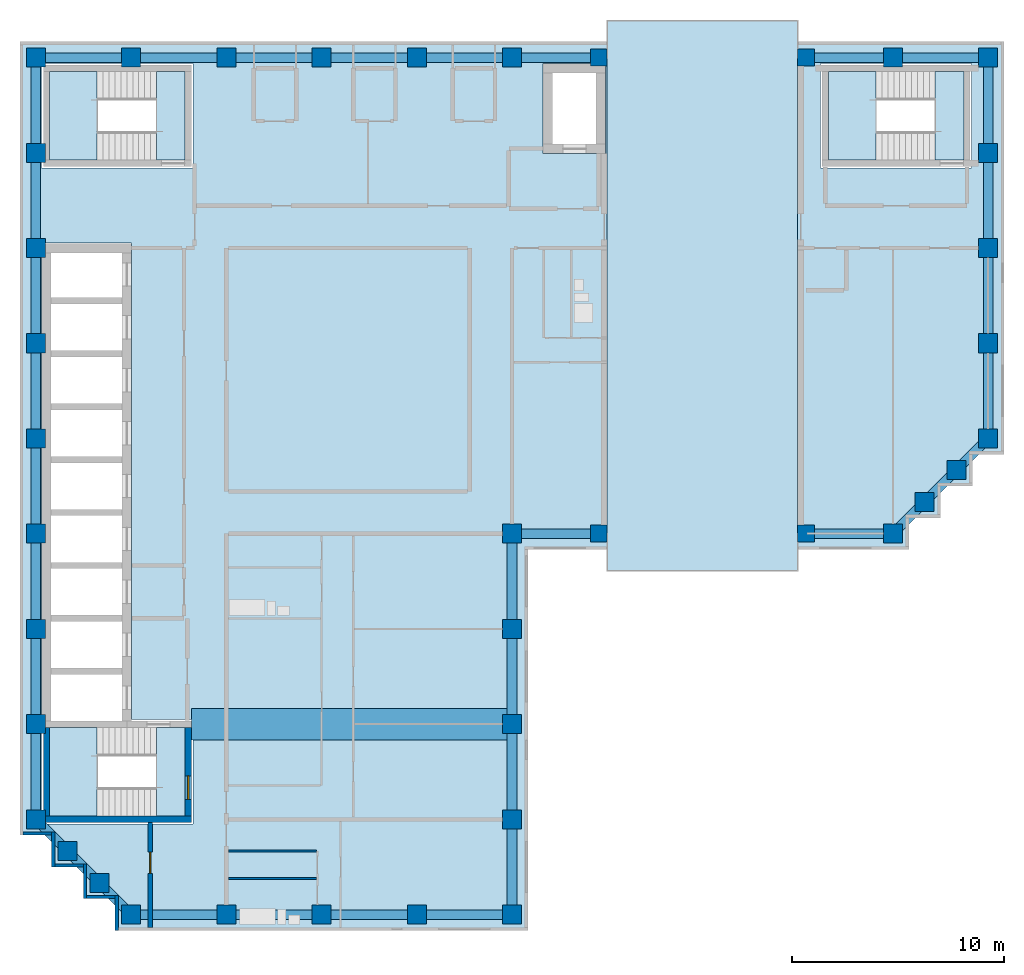
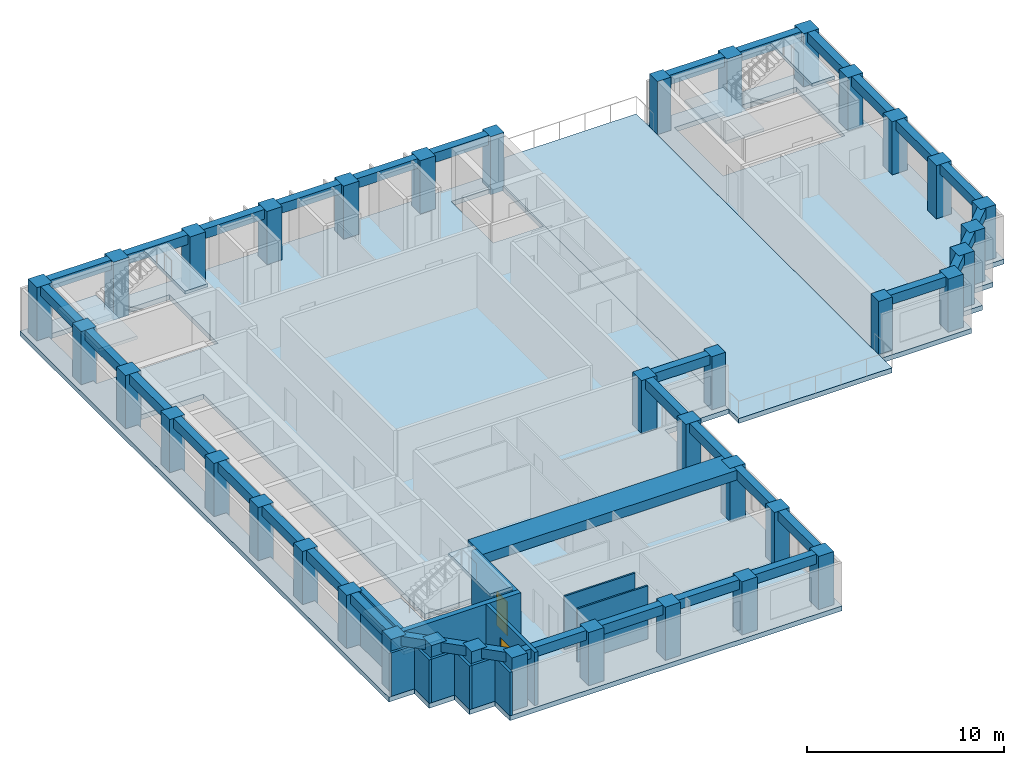
# One storey, part 1 of 7: 38 columns, 37 beams, 12 walls, 9 slabs, 2 doors, 2 openings, 3 elements without a shape of their own.
"""IFC4 building model written with IfcOpenShell, lengths in metres."""

from ifc_helpers import new_model, si_unit, direction, frame, frame_2d, origin, origin_2d, place, context, subcontext, project, spatial, polyline, rectangle, outline, extrude, material, layer, layer_set, material_profile, profile_set, type_object, element, fill, aggregate, save


model = new_model("IFC4")

# Units and contexts
model_context = context("Model", 3, precision=1e-05, world=origin(), true_north=direction((0.0, 1.0)))
body_context = subcontext(model_context, "Body", "Model", "MODEL_VIEW")
ifc_project = project(units=[si_unit("LENGTHUNIT", "METRE"), si_unit("AREAUNIT", "SQUARE_METRE"), si_unit("VOLUMEUNIT", "CUBIC_METRE"), si_unit("PLANEANGLEUNIT", "RADIAN"), si_unit("MASSUNIT", "GRAM", prefix="KILO")], contexts=[model_context])

# Site, building, storey
site_placement = place(None, origin())
site = spatial("IfcSite", under=ifc_project, at=site_placement, CompositionType="ELEMENT")
building_placement = place(site_placement, origin())
building = spatial("IfcBuilding", under=site, at=building_placement, Name="Firuza Court", CompositionType="ELEMENT")
storey_placement = place(building_placement, frame((0.0, 0.0, 240.199951171875)))
storey = spatial("IfcBuildingStorey", under=building, at=storey_placement, Name="L62", CompositionType="ELEMENT", Elevation=240.199951171875)

# Columns
ifc_material_1 = material(Name="Concrete C60/75", Category="concrete")
ifc_material_profile_1 = material_profile(ifc_material_1, rectangle(XDim=0.800048828125, YDim=0.800048828125, at=origin_2d()), Name="RC 800x800")
ifc_profile_set_1 = profile_set([ifc_material_profile_1], Name="Concrete C60/75")
column_type_1 = type_object("IfcColumnType", Name="Portal frame column RC 800x800 C60/75", PredefinedType="COLUMN", material=ifc_profile_set_1)
for number, where, z_axis, x_axis, name in (
    (1, (26.60009765625, 36.0, -0.300048828125), (0.0, 0.0, 1.0), (1.0, 0.0, 0.0), "Column C-PWS L62"),
    (2, (36.39990234375, 36.0, -0.300048828125), (0.0, 0.0, 1.0), (1.0, 0.0, 0.0), "Column C-PES L62"),
    (3, (26.60009765625, 58.5, -0.300048828125), (0.0, 0.0, 1.0), (1.0, 0.0, 0.0), "Column C-PWN L62"),
    (4, (36.39990234375, 58.5, -0.300048828125), (0.0, 0.0, 1.0), (1.0, 0.0, 0.0), "Column C-PEN L62"),
):
    element("IfcColumn", number, at=place(storey_placement, frame(where, z_axis=z_axis, x_axis=x_axis)), inside=storey, type_object=column_type_1, Name=name, PredefinedType="COLUMN", context=body_context, shape_type="SweptSolid", body=[
        extrude(rectangle(XDim=0.800048828125, YDim=0.800048828125, at=origin_2d()), origin(), (0.0, 0.0, 1.0), 3.60009765625),
    ])
ifc_material_2 = material(Name="Concrete C50/60", Category="concrete")
ifc_material_profile_2 = material_profile(ifc_material_2, rectangle(XDim=0.89990234375, YDim=0.89990234375, at=origin_2d()), Name="RC 900x900")
ifc_profile_set_2 = profile_set([ifc_material_profile_2], Name="Concrete C50/60")
column_type_2 = type_object("IfcColumnType", Name="Tube column RC 900x900 C50/60", PredefinedType="COLUMN", material=ifc_profile_set_2)
for number, where, z_axis, x_axis, name in (
    (5, (4.5, 18.0, -0.300048828125), (0.0, 0.0, 1.0), (1.0, 0.0, 0.0), "Column C-2H L62"),
    (6, (9.0, 18.0, -0.300048828125), (0.0, 0.0, 1.0), (1.0, 0.0, 0.0), "Column C-3H L62"),
    (7, (13.5, 18.0, -0.300048828125), (0.0, 0.0, 1.0), (1.0, 0.0, 0.0), "Column C-4H L62"),
    (8, (18.0, 18.0, -0.300048828125), (0.0, 0.0, 1.0), (1.0, 0.0, 0.0), "Column C-5H L62"),
    (9, (22.5, 18.0, -0.300048828125), (0.0, 0.0, 1.0), (1.0, 0.0, 0.0), "Column C-6H L62"),
    (10, (3.0, 19.5, -0.300048828125), (0.0, 0.0, 1.0), (1.0, 0.0, 0.0), "Column C-SA1 L62"),
    (11, (1.5, 21.0, -0.300048828125), (0.0, 0.0, 1.0), (1.0, 0.0, 0.0), "Column C-SA2 L62"),
    (12, (0.0, 22.5, -0.300048828125), (0.0, 0.0, 1.0), (1.0, 0.0, 0.0), "Column C-1J L62"),
    (13, (22.5, 22.5, -0.300048828125), (0.0, 0.0, 1.0), (1.0, 0.0, 0.0), "Column C-6J L62"),
    (14, (0.0, 27.0, -0.300048828125), (0.0, 0.0, 1.0), (1.0, 0.0, 0.0), "Column C-1K L62"),
    (15, (22.5, 27.0, -0.300048828125), (0.0, 0.0, 1.0), (1.0, 0.0, 0.0), "Column C-6K L62"),
    (16, (0.0, 31.5, -0.300048828125), (0.0, 0.0, 1.0), (1.0, 0.0, 0.0), "Column C-1L L62"),
    (17, (22.5, 31.5, -0.300048828125), (0.0, 0.0, 1.0), (1.0, 0.0, 0.0), "Column C-6L L62"),
    (18, (0.0, 36.0, -0.300048828125), (0.0, 0.0, 1.0), (1.0, 0.0, 0.0), "Column C-1M L62"),
    (19, (22.5, 36.0, -0.300048828125), (0.0, 0.0, 1.0), (1.0, 0.0, 0.0), "Column C-6M L62"),
    (20, (40.5, 36.0, -0.300048828125), (0.0, 0.0, 1.0), (1.0, 0.0, 0.0), "Column C-10M L62"),
    (21, (42.0, 37.5, -0.300048828125), (0.0, 0.0, 1.0), (1.0, 0.0, 0.0), "Column C-SA3 L62"),
    (22, (43.5, 39.0, -0.300048828125), (0.0, 0.0, 1.0), (1.0, 0.0, 0.0), "Column C-SA4 L62"),
    (23, (0.0, 40.5, -0.300048828125), (0.0, 0.0, 1.0), (1.0, 0.0, 0.0), "Column C-1N L62"),
    (24, (45.0, 40.5, -0.300048828125), (0.0, 0.0, 1.0), (1.0, 0.0, 0.0), "Column C-11N L62"),
    (25, (0.0, 45.0, -0.300048828125), (0.0, 0.0, 1.0), (1.0, 0.0, 0.0), "Column C-1P L62"),
    (26, (45.0, 45.0, -0.300048828125), (0.0, 0.0, 1.0), (1.0, 0.0, 0.0), "Column C-11P L62"),
    (27, (0.0, 49.5, -0.300048828125), (0.0, 0.0, 1.0), (1.0, 0.0, 0.0), "Column C-1Q L62"),
    (28, (45.0, 49.5, -0.300048828125), (0.0, 0.0, 1.0), (1.0, 0.0, 0.0), "Column C-11Q L62"),
    (29, (0.0, 54.0, -0.300048828125), (0.0, 0.0, 1.0), (1.0, 0.0, 0.0), "Column C-1R L62"),
    (30, (45.0, 54.0, -0.300048828125), (0.0, 0.0, 1.0), (1.0, 0.0, 0.0), "Column C-11R L62"),
    (31, (0.0, 58.5, -0.300048828125), (0.0, 0.0, 1.0), (1.0, 0.0, 0.0), "Column C-1S L62"),
    (32, (4.5, 58.5, -0.300048828125), (0.0, 0.0, 1.0), (1.0, 0.0, 0.0), "Column C-2S L62"),
    (33, (9.0, 58.5, -0.300048828125), (0.0, 0.0, 1.0), (1.0, 0.0, 0.0), "Column C-3S L62"),
    (34, (13.5, 58.5, -0.300048828125), (0.0, 0.0, 1.0), (1.0, 0.0, 0.0), "Column C-4S L62"),
    (35, (18.0, 58.5, -0.300048828125), (0.0, 0.0, 1.0), (1.0, 0.0, 0.0), "Column C-5S L62"),
    (36, (22.5, 58.5, -0.300048828125), (0.0, 0.0, 1.0), (1.0, 0.0, 0.0), "Column C-6S L62"),
    (37, (40.5, 58.5, -0.300048828125), (0.0, 0.0, 1.0), (1.0, 0.0, 0.0), "Column C-10S L62"),
    (38, (45.0, 58.5, -0.300048828125), (0.0, 0.0, 1.0), (1.0, 0.0, 0.0), "Column C-11S L62"),
):
    element("IfcColumn", number, at=place(storey_placement, frame(where, z_axis=z_axis, x_axis=x_axis)), inside=storey, type_object=column_type_2, Name=name, PredefinedType="COLUMN", context=body_context, shape_type="SweptSolid", body=[
        extrude(rectangle(XDim=0.89990234375, YDim=0.89990234375, at=origin_2d()), origin(), (0.0, 0.0, 1.0), 3.60009765625),
    ])

# Beams
ifc_material_3 = material(Name="Concrete C40/50", Category="concrete")
ifc_material_profile_3 = material_profile(ifc_material_3, rectangle(XDim=1.5, YDim=0.60009765625, at=origin_2d()), Name="RC 1500x600")
ifc_profile_set_3 = profile_set([ifc_material_profile_3], Name="Concrete C40/50")
beam_type_1 = type_object("IfcBeamType", Name="Band beam RC 1500x600 C40/50", PredefinedType="BEAM", material=ifc_profile_set_3)
beam_1_placement = place(storey_placement, frame((22.5, 27.0, 3.0), z_axis=(-1.0, 0.0, 0.0), x_axis=(0.0, -1.0, 0.0)))
element("IfcBeam", 39, at=beam_1_placement, inside=storey, type_object=beam_type_1, Name="Band beam FB3 level L63", PredefinedType="BEAM", context=body_context, shape_type="SweptSolid", body=[
    extrude(rectangle(XDim=1.5, YDim=0.60009765625, at=origin_2d()), origin(), (0.0, 0.0, 1.0), 15.14990234375),
])
ifc_material_4 = material(Name="Concrete C40/50", Category="concrete")
ifc_material_profile_4 = material_profile(ifc_material_4, rectangle(XDim=0.449951171875, YDim=0.60009765625, at=origin_2d()), Name="RC 450x600")
ifc_profile_set_4 = profile_set([ifc_material_profile_4], Name="Concrete C40/50")
beam_type_2 = type_object("IfcBeamType", Name="Spandrel beam RC 450x600 C40/50", PredefinedType="BEAM", material=ifc_profile_set_4)
beam_2_placement = place(storey_placement, frame((0.0, 22.5, 3.0), z_axis=(0.707106781187, -0.707106781187, 0.0), x_axis=(0.707106781187, 0.707106781187, 0.0)))
element("IfcBeam", 40, at=beam_2_placement, inside=storey, type_object=beam_type_2, Name="Spandrel beam SP15 level L63", PredefinedType="BEAM", context=body_context, shape_type="SweptSolid", body=[
    extrude(rectangle(XDim=0.449951171875, YDim=0.60009765625, at=origin_2d()), origin(), (0.0, 0.0, 1.0), 2.121337890625),
])
for number, where, z_axis, x_axis, name in (
    (41, (0.0, 27.0, 3.0), (0.0, -1.0, 0.0), (1.0, 0.0, 0.0), "Spandrel beam SP15 level L63"),
    (42, (0.0, 31.5, 3.0), (0.0, -1.0, 0.0), (1.0, 0.0, 0.0), "Spandrel beam SP15 level L63"),
    (43, (0.0, 36.0, 3.0), (0.0, -1.0, 0.0), (1.0, 0.0, 0.0), "Spandrel beam SP15 level L63"),
    (44, (0.0, 40.5, 3.0), (0.0, -1.0, 0.0), (1.0, 0.0, 0.0), "Spandrel beam SP15 level L63"),
    (45, (0.0, 45.0, 3.0), (0.0, -1.0, 0.0), (1.0, 0.0, 0.0), "Spandrel beam SP15 level L63"),
    (46, (0.0, 49.5, 3.0), (0.0, -1.0, 0.0), (1.0, 0.0, 0.0), "Spandrel beam SP15 level L63"),
    (47, (0.0, 54.0, 3.0), (0.0, -1.0, 0.0), (1.0, 0.0, 0.0), "Spandrel beam SP15 level L63"),
    (48, (0.0, 58.5, 3.0), (0.0, -1.0, 0.0), (1.0, 0.0, 0.0), "Spandrel beam SP15 level L63"),
):
    element("IfcBeam", number, at=place(storey_placement, frame(where, z_axis=z_axis, x_axis=x_axis)), inside=storey, type_object=beam_type_2, Name=name, PredefinedType="BEAM", context=body_context, shape_type="SweptSolid", body=[
        extrude(rectangle(XDim=0.449951171875, YDim=0.60009765625, at=origin_2d()), origin(), (0.0, 0.0, 1.0), 4.5),
    ])
for number, where, z_axis, x_axis, name in (
    (49, (1.5, 21.0, 3.0), (0.707106781187, -0.707106781187, 0.0), (0.707106781187, 0.707106781187, 0.0), "Spandrel beam SP15 level L63"),
    (50, (3.0, 19.5, 3.0), (0.707106781187, -0.707106781187, 0.0), (0.707106781187, 0.707106781187, 0.0), "Spandrel beam SP15 level L63"),
):
    element("IfcBeam", number, at=place(storey_placement, frame(where, z_axis=z_axis, x_axis=x_axis)), inside=storey, type_object=beam_type_2, Name=name, PredefinedType="BEAM", context=body_context, shape_type="SweptSolid", body=[
        extrude(rectangle(XDim=0.449951171875, YDim=0.60009765625, at=origin_2d()), origin(), (0.0, 0.0, 1.0), 2.121337890625),
    ])
for number, where, z_axis, x_axis, name in (
    (51, (4.5, 18.0, 3.0), (1.0, 0.0, 0.0), (0.0, 1.0, 0.0), "Spandrel beam SP15 level L63"),
    (52, (4.5, 58.5, 3.0), (-1.0, 0.0, 0.0), (0.0, -1.0, 0.0), "Spandrel beam SP15 level L63"),
    (53, (9.0, 18.0, 3.0), (1.0, 0.0, 0.0), (0.0, 1.0, 0.0), "Spandrel beam SP15 level L63"),
    (54, (9.0, 58.5, 3.0), (-1.0, 0.0, 0.0), (0.0, -1.0, 0.0), "Spandrel beam SP15 level L63"),
    (55, (13.5, 18.0, 3.0), (1.0, 0.0, 0.0), (0.0, 1.0, 0.0), "Spandrel beam SP15 level L63"),
    (56, (13.5, 58.5, 3.0), (-1.0, 0.0, 0.0), (0.0, -1.0, 0.0), "Spandrel beam SP15 level L63"),
    (57, (18.0, 18.0, 3.0), (1.0, 0.0, 0.0), (0.0, 1.0, 0.0), "Spandrel beam SP15 level L63"),
    (58, (18.0, 58.5, 3.0), (-1.0, 0.0, 0.0), (0.0, -1.0, 0.0), "Spandrel beam SP15 level L63"),
    (59, (22.5, 18.0, 3.0), (0.0, 1.0, 0.0), (-1.0, 0.0, 0.0), "Spandrel beam SP15 level L63"),
    (60, (22.5, 22.5, 3.0), (0.0, 1.0, 0.0), (-1.0, 0.0, 0.0), "Spandrel beam SP15 level L63"),
    (61, (22.5, 27.0, 3.0), (0.0, 1.0, 0.0), (-1.0, 0.0, 0.0), "Spandrel beam SP15 level L63"),
    (62, (22.5, 31.5, 3.0), (0.0, 1.0, 0.0), (-1.0, 0.0, 0.0), "Spandrel beam SP15 level L63"),
):
    element("IfcBeam", number, at=place(storey_placement, frame(where, z_axis=z_axis, x_axis=x_axis)), inside=storey, type_object=beam_type_2, Name=name, PredefinedType="BEAM", context=body_context, shape_type="SweptSolid", body=[
        extrude(rectangle(XDim=0.449951171875, YDim=0.60009765625, at=origin_2d()), origin(), (0.0, 0.0, 1.0), 4.5),
    ])
beam_3_placement = place(storey_placement, frame((22.5, 36.0, 3.0), z_axis=(1.0, 0.0, 0.0), x_axis=(0.0, 1.0, 0.0)))
element("IfcBeam", 63, at=beam_3_placement, inside=storey, type_object=beam_type_2, Name="Spandrel beam SP15 level L63", PredefinedType="BEAM", context=body_context, shape_type="SweptSolid", body=[
    extrude(rectangle(XDim=0.449951171875, YDim=0.60009765625, at=origin_2d()), origin(), (0.0, 0.0, 1.0), 4.10009765625),
])
beam_4_placement = place(storey_placement, frame((22.5, 58.5, 3.0), z_axis=(-1.0, 0.0, 0.0), x_axis=(0.0, -1.0, 0.0)))
element("IfcBeam", 64, at=beam_4_placement, inside=storey, type_object=beam_type_2, Name="Spandrel beam SP15 level L63", PredefinedType="BEAM", context=body_context, shape_type="SweptSolid", body=[
    extrude(rectangle(XDim=0.449951171875, YDim=0.60009765625, at=origin_2d()), origin(), (0.0, 0.0, 1.0), 4.5),
])
for number, where, z_axis, x_axis, name in (
    (65, (26.60009765625, 58.5, 3.0), (-1.0, 0.0, 0.0), (0.0, -1.0, 0.0), "Spandrel beam SP15 level L63"),
    (66, (36.39990234375, 36.0, 3.0), (1.0, 0.0, 0.0), (0.0, 1.0, 0.0), "Spandrel beam SP15 level L63"),
):
    element("IfcBeam", number, at=place(storey_placement, frame(where, z_axis=z_axis, x_axis=x_axis)), inside=storey, type_object=beam_type_2, Name=name, PredefinedType="BEAM", context=body_context, shape_type="SweptSolid", body=[
        extrude(rectangle(XDim=0.449951171875, YDim=0.60009765625, at=origin_2d()), origin(), (0.0, 0.0, 1.0), 4.10009765625),
    ])
beam_5_placement = place(storey_placement, frame((40.5, 36.0, 3.0), z_axis=(0.707106781187, 0.707106781187, 0.0), x_axis=(-0.707106781187, 0.707106781187, 0.0)))
element("IfcBeam", 67, at=beam_5_placement, inside=storey, type_object=beam_type_2, Name="Spandrel beam SP15 level L63", PredefinedType="BEAM", context=body_context, shape_type="SweptSolid", body=[
    extrude(rectangle(XDim=0.449951171875, YDim=0.60009765625, at=origin_2d()), origin(), (0.0, 0.0, 1.0), 2.121337890625),
])
beam_6_placement = place(storey_placement, frame((40.5, 58.5, 3.0), z_axis=(-1.0, 0.0, 0.0), x_axis=(0.0, -1.0, 0.0)))
element("IfcBeam", 68, at=beam_6_placement, inside=storey, type_object=beam_type_2, Name="Spandrel beam SP15 level L63", PredefinedType="BEAM", context=body_context, shape_type="SweptSolid", body=[
    extrude(rectangle(XDim=0.449951171875, YDim=0.60009765625, at=origin_2d()), origin(), (0.0, 0.0, 1.0), 4.10009765625),
])
for number, where, z_axis, x_axis, name in (
    (69, (42.0, 37.5, 3.0), (0.707106781187, 0.707106781187, 0.0), (-0.707106781187, 0.707106781187, 0.0), "Spandrel beam SP15 level L63"),
    (70, (43.5, 39.0, 3.0), (0.707106781187, 0.707106781187, 0.0), (-0.707106781187, 0.707106781187, 0.0), "Spandrel beam SP15 level L63"),
):
    element("IfcBeam", number, at=place(storey_placement, frame(where, z_axis=z_axis, x_axis=x_axis)), inside=storey, type_object=beam_type_2, Name=name, PredefinedType="BEAM", context=body_context, shape_type="SweptSolid", body=[
        extrude(rectangle(XDim=0.449951171875, YDim=0.60009765625, at=origin_2d()), origin(), (0.0, 0.0, 1.0), 2.121337890625),
    ])
for number, where, z_axis, x_axis, name in (
    (71, (45.0, 40.5, 3.0), (0.0, 1.0, 0.0), (-1.0, 0.0, 0.0), "Spandrel beam SP15 level L63"),
    (72, (45.0, 45.0, 3.0), (0.0, 1.0, 0.0), (-1.0, 0.0, 0.0), "Spandrel beam SP15 level L63"),
    (73, (45.0, 49.5, 3.0), (0.0, 1.0, 0.0), (-1.0, 0.0, 0.0), "Spandrel beam SP15 level L63"),
    (74, (45.0, 54.0, 3.0), (0.0, 1.0, 0.0), (-1.0, 0.0, 0.0), "Spandrel beam SP15 level L63"),
    (75, (45.0, 58.5, 3.0), (-1.0, 0.0, 0.0), (0.0, -1.0, 0.0), "Spandrel beam SP15 level L63"),
):
    element("IfcBeam", number, at=place(storey_placement, frame(where, z_axis=z_axis, x_axis=x_axis)), inside=storey, type_object=beam_type_2, Name=name, PredefinedType="BEAM", context=body_context, shape_type="SweptSolid", body=[
        extrude(rectangle(XDim=0.449951171875, YDim=0.60009765625, at=origin_2d()), origin(), (0.0, 0.0, 1.0), 4.5),
    ])

# Slabs
ifc_material_5 = material(Name="Concrete C40/50", Category="concrete")
ifc_layer_1 = layer(ifc_material_5, 0.300048828125)
ifc_layer_set_1 = layer_set([ifc_layer_1], Name="Concrete C40/50")
slab_type_1 = type_object("IfcSlabType", Name="Floor slab 300 C40/50", PredefinedType="FLOOR", material=ifc_layer_set_1)
slab_1_placement = place(storey_placement, frame((0.0, 0.0, -0.300048828125)))
element("IfcSlab", 76, at=slab_1_placement, inside=storey, type_object=slab_type_1, Name="Floor slab L62", PredefinedType="FLOOR", context=body_context, shape_type="SweptSolid", body=[
    extrude(outline(polyline([(27.0, 59.25), (27.0, 35.25), (23.25, 35.25), (23.25, 17.25), (3.75, 17.25), (3.75, 18.75), (2.25, 18.75), (2.25, 20.25), (0.75, 20.25), (0.75, 21.75), (-0.75, 21.75), (-0.75, 59.25), (27.0, 59.25)]), holes=[polyline([(0.27490234375, 34.27490234375), (0.27490234375, 32.22509765625), (0.27490234375, 31.77490234375), (0.27490234375, 29.72509765625), (0.27490234375, 29.27490234375), (0.27490234375, 27.22509765625), (0.27490234375, 26.77490234375), (0.27490234375, 22.27490234375), (7.425048828125, 22.27490234375), (7.425048828125, 27.22509765625), (4.52490234375, 27.22509765625), (4.52490234375, 29.27490234375), (4.52490234375, 29.72509765625), (4.52490234375, 31.77490234375), (4.52490234375, 32.22509765625), (4.52490234375, 34.27490234375), (4.52490234375, 34.72509765625), (4.52490234375, 36.77490234375), (4.52490234375, 37.22509765625), (4.52490234375, 39.27490234375), (4.52490234375, 39.72509765625), (4.52490234375, 41.77490234375), (4.52490234375, 42.22509765625), (4.52490234375, 44.27490234375), (4.52490234375, 44.72509765625), (4.52490234375, 46.77490234375), (4.52490234375, 47.22509765625), (4.52490234375, 49.72509765625), (0.27490234375, 49.72509765625), (0.27490234375, 47.22509765625), (0.27490234375, 46.77490234375), (0.27490234375, 44.72509765625), (0.27490234375, 44.27490234375), (0.27490234375, 42.22509765625), (0.27490234375, 41.77490234375), (0.27490234375, 39.72509765625), (0.27490234375, 39.27490234375), (0.27490234375, 37.22509765625), (0.27490234375, 36.77490234375), (0.27490234375, 34.72509765625), (0.27490234375, 34.27490234375)]), polyline([(7.425048828125, 58.22509765625), (0.27490234375, 58.22509765625), (0.27490234375, 53.27490234375), (7.425048828125, 53.27490234375), (7.425048828125, 58.22509765625)]), polyline([(26.925048828125, 58.22509765625), (23.97509765625, 58.22509765625), (23.97509765625, 53.97509765625), (26.925048828125, 53.97509765625), (26.925048828125, 58.22509765625)])]), origin(), (0.0, 0.0, 1.0), 0.300048828125),
])
slab_2_placement = place(storey_placement, frame((0.0, 0.0, -0.300048828125)))
element("IfcSlab", 77, at=slab_2_placement, inside=storey, type_object=slab_type_1, Name="Floor slab L62", PredefinedType="FLOOR", context=body_context, shape_type="SweptSolid", body=[
    extrude(outline(polyline([(45.75, 39.75), (44.25, 39.75), (44.25, 38.25), (42.75, 38.25), (42.75, 36.75), (41.25, 36.75), (41.25, 35.25), (36.0, 35.25), (36.0, 59.25), (45.75, 59.25), (45.75, 39.75)]), holes=[polyline([(44.22509765625, 58.22509765625), (37.074951171875, 58.22509765625), (37.074951171875, 53.27490234375), (44.22509765625, 53.27490234375), (44.22509765625, 58.22509765625)])]), origin(), (0.0, 0.0, 1.0), 0.300048828125),
])
ifc_layer_2 = layer(ifc_material_5, 0.300048828125)
ifc_layer_set_2 = layer_set([ifc_layer_2], Name="Concrete C40/50")
slab_type_2 = type_object("IfcSlabType", Name="Roof slab 300 C40/50", PredefinedType="ROOF", material=ifc_layer_set_2)
slab_3_placement = place(storey_placement, frame((0.0, 0.0, -0.300048828125)))
element("IfcSlab", 78, at=slab_3_placement, inside=storey, type_object=slab_type_2, Name="Portal floor slab L62", PredefinedType="ROOF", context=body_context, shape_type="SweptSolid", body=[
    extrude(outline(polyline([(36.0, 34.25), (27.0, 34.25), (27.0, 60.25), (36.0, 60.25), (36.0, 34.25)])), origin(), (0.0, 0.0, 1.0), 0.300048828125),
])

# Stair, slabs
ifc_material_6 = material(Name="Concrete C40/50 precast", Category="concrete")
stair_type = type_object("IfcStairType", Name="Stair 1350 x 3600 2 flights", PredefinedType="HALF_TURN_STAIR", material=ifc_material_6)
stair_1_placement = place(storey_placement, origin())
stair_1 = element("IfcStair", 79, at=stair_1_placement, inside=storey, type_object=stair_type, Name="Stair 1 L62", PredefinedType="HALF_TURN_STAIR")
ifc_material_7 = material(Name="Concrete C40/50 precast", Category="concrete")
ifc_layer_3 = layer(ifc_material_7, 0.199951171875)
ifc_layer_set_3 = layer_set([ifc_layer_3], Name="Concrete C40/50 precast")
slab_type_3 = type_object("IfcSlabType", Name="Stair landing 200", PredefinedType="LANDING", material=ifc_layer_set_3)
slab_4_placement = place(storey_placement, frame((0.0, 0.0, 1.60009765625)))
slab_4 = element("IfcSlab", 80, at=slab_4_placement, type_object=slab_type_3, Name="S1 landing 1", PredefinedType="LANDING", context=body_context, shape_type="SweptSolid", body=[
    extrude(outline(polyline([(39.699951171875, 53.64990234375), (39.699951171875, 57.85009765625), (37.449951171875, 57.85009765625), (37.449951171875, 53.64990234375), (39.699951171875, 53.64990234375)])), origin(), (0.0, 0.0, 1.0), 0.199951171875),
])
slab_5_placement = place(storey_placement, frame((0.0, 0.0, 3.400146484375)))
slab_5 = element("IfcSlab", 81, at=slab_5_placement, type_object=slab_type_3, Name="S1 landing 2", PredefinedType="LANDING", context=body_context, shape_type="SweptSolid", body=[
    extrude(outline(polyline([(43.85009765625, 53.64990234375), (43.85009765625, 57.85009765625), (42.5, 57.85009765625), (42.5, 53.64990234375), (43.85009765625, 53.64990234375)])), origin(), (0.0, 0.0, 1.0), 0.199951171875),
])
aggregate(stair_1, [slab_4, slab_5])

stair_2_placement = place(storey_placement, origin())
stair_2 = element("IfcStair", 82, at=stair_2_placement, inside=storey, type_object=stair_type, Name="Stair 2 L62", PredefinedType="HALF_TURN_STAIR")
slab_6_placement = place(storey_placement, frame((0.0, 0.0, 1.60009765625)))
slab_6 = element("IfcSlab", 83, at=slab_6_placement, type_object=slab_type_3, Name="S2 landing 1", PredefinedType="LANDING", context=body_context, shape_type="SweptSolid", body=[
    extrude(outline(polyline([(2.89990234375, 22.64990234375), (2.89990234375, 26.85009765625), (0.64990234375, 26.85009765625), (0.64990234375, 22.64990234375), (2.89990234375, 22.64990234375)])), origin(), (0.0, 0.0, 1.0), 0.199951171875),
])
slab_7_placement = place(storey_placement, frame((0.0, 0.0, 3.400146484375)))
slab_7 = element("IfcSlab", 84, at=slab_7_placement, type_object=slab_type_3, Name="S2 landing 2", PredefinedType="LANDING", context=body_context, shape_type="SweptSolid", body=[
    extrude(outline(polyline([(7.050048828125, 22.64990234375), (7.050048828125, 26.85009765625), (5.699951171875, 26.85009765625), (5.699951171875, 22.64990234375), (7.050048828125, 22.64990234375)])), origin(), (0.0, 0.0, 1.0), 0.199951171875),
])
aggregate(stair_2, [slab_6, slab_7])

stair_3_placement = place(storey_placement, origin())
stair_3 = element("IfcStair", 85, at=stair_3_placement, inside=storey, type_object=stair_type, Name="Stair 3 L62", PredefinedType="HALF_TURN_STAIR")
slab_8_placement = place(storey_placement, frame((0.0, 0.0, 1.60009765625)))
slab_8 = element("IfcSlab", 86, at=slab_8_placement, type_object=slab_type_3, Name="S3 landing 1", PredefinedType="LANDING", context=body_context, shape_type="SweptSolid", body=[
    extrude(outline(polyline([(2.89990234375, 53.64990234375), (2.89990234375, 57.85009765625), (0.64990234375, 57.85009765625), (0.64990234375, 53.64990234375), (2.89990234375, 53.64990234375)])), origin(), (0.0, 0.0, 1.0), 0.199951171875),
])
slab_9_placement = place(storey_placement, frame((0.0, 0.0, 3.400146484375)))
slab_9 = element("IfcSlab", 87, at=slab_9_placement, type_object=slab_type_3, Name="S3 landing 2", PredefinedType="LANDING", context=body_context, shape_type="SweptSolid", body=[
    extrude(outline(polyline([(7.050048828125, 53.64990234375), (7.050048828125, 57.85009765625), (5.699951171875, 57.85009765625), (5.699951171875, 53.64990234375), (7.050048828125, 53.64990234375)])), origin(), (0.0, 0.0, 1.0), 0.199951171875),
])
aggregate(stair_3, [slab_8, slab_9])

# Walls
ifc_material_8 = material(Name="Moisture-resistant gypsum board partition")
ifc_layer_4 = layer(ifc_material_8, 0.10009765625)
ifc_layer_set_4 = layer_set([ifc_layer_4], Name="Moisture-resistant gypsum board partition")
wall_type_1 = type_object("IfcWallType", Name="Bathroom partition 100", PredefinedType="PLUMBINGWALL", material=ifc_layer_set_4)
wall_1_placement = place(storey_placement, frame((9.10009765625, 19.699951171875, 0.0), z_axis=(0.0, 0.0, 1.0), x_axis=(1.0, 0.0, 0.0)))
element("IfcWall", 88, at=wall_1_placement, inside=storey, type_object=wall_type_1, Name="Bathroom partition 100 L62", PredefinedType="PLUMBINGWALL", context=body_context, shape_type="SweptSolid", body=[
    extrude(rectangle(XDim=4.14990234375, YDim=0.10009765625, at=frame_2d((2.074951171875, 0.0))), origin(), (0.0, 0.0, 1.0), 3.300048828125),
])
ifc_material_9 = material(Name="Concrete C50/60", Category="concrete")
ifc_layer_5 = layer(ifc_material_9, 0.300048828125)
ifc_layer_set_5 = layer_set([ifc_layer_5], Name="Concrete C50/60")
wall_type_2 = type_object("IfcWallType", Name="Core wall 300 C50/60", PredefinedType="SHEAR", material=ifc_layer_set_5)
wall_2_placement = place(storey_placement, frame((0.35009765625, 22.5, -0.300048828125), z_axis=(0.0, 0.0, 1.0), x_axis=(1.0, 0.0, 0.0)))
element("IfcWall", 89, at=wall_2_placement, inside=storey, type_object=wall_type_2, Name="Core wall stair L62", PredefinedType="SHEAR", context=body_context, shape_type="SweptSolid", body=[
    extrude(rectangle(XDim=7.0, YDim=0.300048828125, at=frame_2d((3.5, 0.0))), origin(), (0.0, 0.0, 1.0), 3.60009765625),
])
wall_3_placement = place(storey_placement, frame((0.5, 22.64990234375, -0.300048828125), z_axis=(0.0, 0.0, 1.0), x_axis=(0.0, 1.0, 0.0)))
element("IfcWall", 90, at=wall_3_placement, inside=storey, type_object=wall_type_2, Name="Core wall stair L62", PredefinedType="SHEAR", context=body_context, shape_type="SweptSolid", body=[
    extrude(rectangle(XDim=4.2001953125, YDim=0.300048828125, at=frame_2d((2.10009765625, 0.0))), origin(), (0.0, 0.0, 1.0), 3.60009765625),
])

# Wall, opening, door
wall_4_placement = place(storey_placement, frame((7.199951171875, 22.64990234375, -0.300048828125), z_axis=(0.0, 0.0, 1.0), x_axis=(0.0, 1.0, 0.0)))
wall_4 = element("IfcWall", 91, at=wall_4_placement, inside=storey, type_object=wall_type_2, Name="Core wall stair L62", PredefinedType="SHEAR", context=body_context, shape_type="SweptSolid", body=[
    extrude(rectangle(XDim=4.2001953125, YDim=0.300048828125, at=frame_2d((2.10009765625, 0.0))), origin(), (0.0, 0.0, 1.0), 3.60009765625),
])
opening_1_placement = place(wall_4_placement, frame((0.800048828125, 0.0, 0.300048828125)))
opening_1 = element("IfcOpeningElement", 92, at=opening_1_placement, cuts=wall_4, Name="Opening D62010", PredefinedType="OPENING", context=body_context, shape_type="SweptSolid", body=[
    extrude(rectangle(XDim=1.10009765625, YDim=2.10009765625, at=frame_2d((0.550048828125, 1.050048828125))), frame((0.0, 0.162109375, 0.0), z_axis=(0.0, -1.0, 0.0), x_axis=(1.0, 0.0, 0.0)), (0.0, 0.0, 1.0), 0.323974609375),
])
ifc_material_10 = material(Name="Timber door leaf in hardwood frame", Category="wood")
door_type_1 = type_object("IfcDoorType", Name="Stair door 1100", OperationType="SINGLE_SWING_LEFT", PredefinedType="DOOR", material=ifc_material_10)
door_1_placement = place(opening_1_placement, origin())
door_1 = element("IfcDoor", 93, at=door_1_placement, inside=storey, type_object=door_type_1, Name="Stair door S2", OperationType="SINGLE_SWING_LEFT", OverallHeight=2.10009765625, OverallWidth=1.10009765625, PredefinedType="DOOR", context=body_context, shape_type="SweptSolid", body=[
    extrude(rectangle(XDim=1.10009765625, YDim=2.10009765625, at=frame_2d((0.550048828125, 1.050048828125))), frame((0.0, 0.02490234375, 0.0), z_axis=(0.0, -1.0, 0.0), x_axis=(1.0, 0.0, 0.0)), (0.0, 0.0, 1.0), 0.050048828125),
])
fill(opening_1, door_1)

ifc_material_11 = material(Name="Blockwork, plastered both sides", Category="masonry")
ifc_layer_6 = layer(ifc_material_11, 0.199951171875)
ifc_layer_set_6 = layer_set([ifc_layer_6], Name="Blockwork, plastered both sides")
wall_type_3 = type_object("IfcWallType", Name="Corridor wall 200", PredefinedType="PARTITIONING", material=ifc_layer_set_6)
wall_5_placement = place(storey_placement, frame((5.39990234375, 17.39990234375, 0.0), z_axis=(0.0, 0.0, 1.0), x_axis=(0.0, 1.0, 0.0)))
wall_5 = element("IfcWall", 94, at=wall_5_placement, inside=storey, type_object=wall_type_3, Name="Corridor wall 200 L62", PredefinedType="PARTITIONING", context=body_context, shape_type="SweptSolid", body=[
    extrude(rectangle(XDim=4.9501953125, YDim=0.199951171875, at=frame_2d((2.47509765625, 0.0))), origin(), (0.0, 0.0, 1.0), 3.300048828125),
])
opening_2_placement = place(wall_5_placement, frame((2.550048828125, 0.0, 0.0)))
opening_2 = element("IfcOpeningElement", 95, at=opening_2_placement, cuts=wall_5, Name="Opening D62012", PredefinedType="OPENING", context=body_context, shape_type="SweptSolid", body=[
    extrude(rectangle(XDim=1.0, YDim=2.10009765625, at=frame_2d((0.5, 1.050048828125))), frame((0.0, 0.11181640625, 0.0), z_axis=(0.0, -1.0, 0.0), x_axis=(1.0, 0.0, 0.0)), (0.0, 0.0, 1.0), 0.223876953125),
])
ifc_material_12 = material(Name="Timber door leaf in hardwood frame", Category="wood")
door_type_2 = type_object("IfcDoorType", Name="Store door 1000", OperationType="SINGLE_SWING_LEFT", PredefinedType="DOOR", material=ifc_material_12)
door_2_placement = place(opening_2_placement, origin())
door_2 = element("IfcDoor", 96, at=door_2_placement, inside=storey, type_object=door_type_2, Name="Parcel room door", OperationType="SINGLE_SWING_RIGHT", OverallHeight=2.10009765625, OverallWidth=1.0, PredefinedType="DOOR", context=body_context, shape_type="SweptSolid", body=[
    extrude(rectangle(XDim=1.0, YDim=2.10009765625, at=frame_2d((0.5, 1.050048828125))), frame((0.0, 0.02490234375, 0.0), z_axis=(0.0, -1.0, 0.0), x_axis=(1.0, 0.0, 0.0)), (0.0, 0.0, 1.0), 0.050048828125),
])
fill(opening_2, door_2)

# Walls
ifc_material_13 = material(Name="Timber stud partition, plasterboard both sides", Category="wood")
ifc_layer_7 = layer(ifc_material_13, 0.10009765625)
ifc_layer_set_7 = layer_set([ifc_layer_7], Name="Timber stud partition, plasterboard both sides")
wall_type_4 = type_object("IfcWallType", Name="Partition wall 100", PredefinedType="PARTITIONING", material=ifc_layer_set_7)
wall_6_placement = place(storey_placement, frame((9.10009765625, 21.0, 0.0), z_axis=(0.0, 0.0, 1.0), x_axis=(1.0, 0.0, 0.0)))
element("IfcWall", 97, at=wall_6_placement, inside=storey, type_object=wall_type_4, Name="Partition wall 100 L62", PredefinedType="PARTITIONING", context=body_context, shape_type="SweptSolid", body=[
    extrude(rectangle(XDim=4.14990234375, YDim=0.10009765625, at=frame_2d((2.074951171875, 0.0))), origin(), (0.0, 0.0, 1.0), 3.300048828125),
])
ifc_material_14 = material(Name="Ceramic tile", Category="ceramic")
ifc_layer_8 = layer(ifc_material_14, 0.02001953125)
ifc_material_15 = material(Name="Mineral wool insulation", Category="insulation")
ifc_layer_9 = layer(ifc_material_15, 0.050048828125)
ifc_layer_10 = layer(ifc_material_7, 0.080078125)
ifc_layer_set_8 = layer_set([ifc_layer_8, ifc_layer_9, ifc_layer_10], Name="Concrete C40/50 precast")
wall_type_5 = type_object("IfcWallType", Name="Precast cladding wall with turquoise TILE PANEL face 150", PredefinedType="STANDARD", material=ifc_layer_set_8)
wall_7_placement = place(storey_placement, frame((-0.60009765625, 21.824951171875, 0.0), z_axis=(0.0, 0.0, 1.0), x_axis=(1.0, 0.0, 0.0)))
element("IfcWall", 98, at=wall_7_placement, inside=storey, type_object=wall_type_5, Name="Facade wall L62 S", PredefinedType="STANDARD", context=body_context, shape_type="SweptSolid", body=[
    extrude(rectangle(XDim=1.35009765625, YDim=0.14990234375, at=frame_2d((0.675048828125, 0.0))), origin(), (0.0, 0.0, 1.0), 2.699951171875),
])
wall_8_placement = place(storey_placement, frame((0.824951171875, 21.89990234375, 0.0), z_axis=(0.0, 0.0, 1.0), x_axis=(0.0, -1.0, 0.0)))
element("IfcWall", 99, at=wall_8_placement, inside=storey, type_object=wall_type_5, Name="Facade wall L62 W", PredefinedType="STANDARD", context=body_context, shape_type="SweptSolid", body=[
    extrude(rectangle(XDim=1.64990234375, YDim=0.14990234375, at=frame_2d((0.824951171875, 0.0))), origin(), (0.0, 0.0, 1.0), 2.699951171875),
])
wall_9_placement = place(storey_placement, frame((0.89990234375, 20.324951171875, 0.0), z_axis=(0.0, 0.0, 1.0), x_axis=(1.0, 0.0, 0.0)))
element("IfcWall", 100, at=wall_9_placement, inside=storey, type_object=wall_type_5, Name="Facade wall L62 S", PredefinedType="STANDARD", context=body_context, shape_type="SweptSolid", body=[
    extrude(rectangle(XDim=1.35009765625, YDim=0.14990234375, at=frame_2d((0.675048828125, 0.0))), origin(), (0.0, 0.0, 1.0), 2.699951171875),
])
wall_10_placement = place(storey_placement, frame((2.324951171875, 20.39990234375, 0.0), z_axis=(0.0, 0.0, 1.0), x_axis=(0.0, -1.0, 0.0)))
element("IfcWall", 101, at=wall_10_placement, inside=storey, type_object=wall_type_5, Name="Facade wall L62 W", PredefinedType="STANDARD", context=body_context, shape_type="SweptSolid", body=[
    extrude(rectangle(XDim=1.64990234375, YDim=0.14990234375, at=frame_2d((0.824951171875, 0.0))), origin(), (0.0, 0.0, 1.0), 2.699951171875),
])
wall_11_placement = place(storey_placement, frame((2.39990234375, 18.824951171875, 0.0), z_axis=(0.0, 0.0, 1.0), x_axis=(1.0, 0.0, 0.0)))
element("IfcWall", 102, at=wall_11_placement, inside=storey, type_object=wall_type_5, Name="Facade wall L62 S", PredefinedType="STANDARD", context=body_context, shape_type="SweptSolid", body=[
    extrude(rectangle(XDim=1.35009765625, YDim=0.14990234375, at=frame_2d((0.675048828125, 0.0))), origin(), (0.0, 0.0, 1.0), 2.699951171875),
])
wall_12_placement = place(storey_placement, frame((3.824951171875, 18.89990234375, 0.0), z_axis=(0.0, 0.0, 1.0), x_axis=(0.0, -1.0, 0.0)))
element("IfcWall", 103, at=wall_12_placement, inside=storey, type_object=wall_type_5, Name="Facade wall L62 W", PredefinedType="STANDARD", context=body_context, shape_type="SweptSolid", body=[
    extrude(rectangle(XDim=1.64990234375, YDim=0.14990234375, at=frame_2d((0.824951171875, 0.0))), origin(), (0.0, 0.0, 1.0), 2.699951171875),
])

save(model, "model.ifc")
